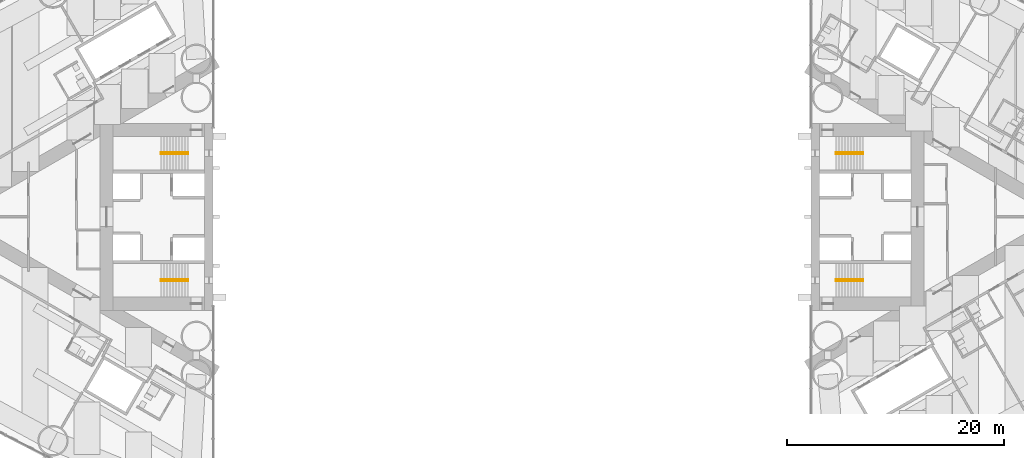
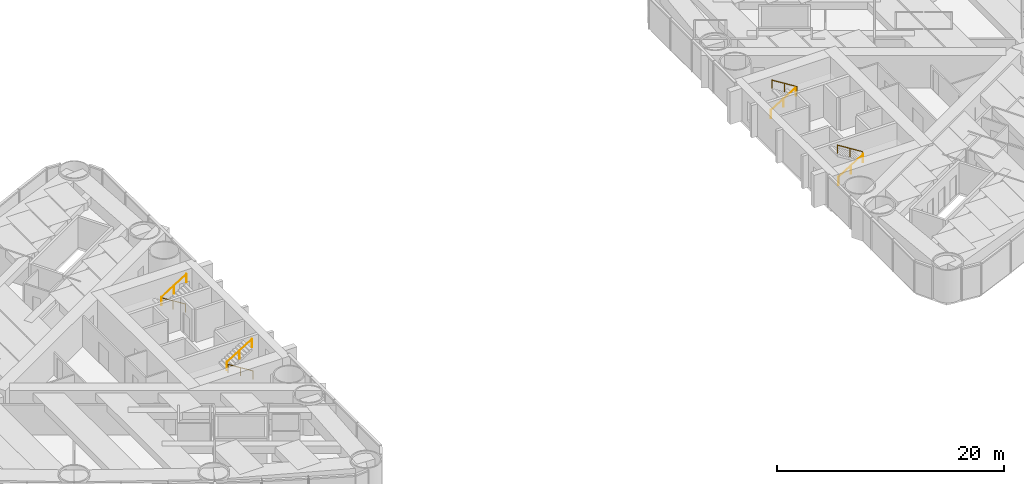
# One storey, part 18 of 19: 8 railings.
"""IFC4 building model written with IfcOpenShell, lengths in metres."""

import ifcopenshell
import ifcopenshell.guid

model = None  # the IFC model being written
_history = None  # IfcOwnerHistory: only IFC2X3 demands one
_inside = {}  # id of a spatial element -> (the spatial element, [elements in it])
_under = {}  # id of a project, library or spatial element -> (it, [spatial elements below it])
_declared = {}  # id of a project -> (the project, [libraries it declares])
_typed = {}  # id of a type object -> (the type object, [elements of that type])
_made_of = {}  # id of a material, layer set ... -> (it, [elements and type objects made of it])


def new_model(schema):
    """Start an empty IFC model of exactly this schema.

    Asked for "IFC4X3", IfcOpenShell would pick the latest addendum, in which some entities
    have other attributes; the version numbers below select the first issue.
    IFC2X3 requires an IfcOwnerHistory on every rooted entity: one is made here for all.
    """
    global model, _history
    if schema == "IFC4X3":
        model = ifcopenshell.file(schema_version=(4, 3, 0, 0))
    else:
        model = ifcopenshell.file(schema=schema)
    _inside.clear()
    _under.clear()
    _declared.clear()
    _typed.clear()
    _made_of.clear()
    _history = None
    if model.schema == "IFC2X3":
        org = make("IfcOrganization", Name="unknown")
        user = make(
            "IfcPersonAndOrganization",
            ThePerson=make("IfcPerson", FamilyName="unknown"),
            TheOrganization=org,
        )
        app = make(
            "IfcApplication",
            ApplicationDeveloper=org,
            Version="unknown",
            ApplicationFullName="unknown",
            ApplicationIdentifier="unknown",
        )
        _history = make(
            "IfcOwnerHistory",
            OwningUser=user,
            OwningApplication=app,
            ChangeAction="ADDED",
            CreationDate=0,
        )
    return model


def make(cls, **values):
    """One entity of the class cls with the attributes given. An attribute that is None is left unset."""
    return model.create_entity(
        cls, **{name: value for name, value in values.items() if value is not None}
    )


def rooted(cls, **values):
    """An entity with a GlobalId (a new one), such as an element, a storey or a relation."""
    return make(cls, GlobalId=ifcopenshell.guid.new(), OwnerHistory=_history, **values)


def si_unit(unit_type, name, prefix=None):
    """IfcSIUnit, for example si_unit("LENGTHUNIT", "METRE", prefix="MILLI")."""
    return make("IfcSIUnit", UnitType=unit_type, Prefix=prefix, Name=name)


def assignment(units):
    """IfcUnitAssignment: the units of a project."""
    return None if units is None else make("IfcUnitAssignment", Units=units)


def point(xyz):
    """IfcCartesianPoint."""
    return None if xyz is None else make("IfcCartesianPoint", Coordinates=xyz)


def direction(xyz):
    """IfcDirection."""
    return None if xyz is None else make("IfcDirection", DirectionRatios=xyz)


def frame(location, z_axis=None, x_axis=None):
    """IfcAxis2Placement3D, a coordinate frame: its origin and axes. An axis left out is left unset."""
    return make(
        "IfcAxis2Placement3D",
        Location=point(location),
        Axis=direction(z_axis),
        RefDirection=direction(x_axis),
    )


def frame_2d(location, x_axis=None):
    """IfcAxis2Placement2D, a coordinate frame in the plane: its origin and x axis."""
    return make(
        "IfcAxis2Placement2D", Location=point(location), RefDirection=direction(x_axis)
    )


def origin():
    """The frame at (0, 0, 0) with its axes left unset."""
    return frame((0.0, 0.0, 0.0))


def origin_2d():
    """The frame at (0, 0) in the plane with its x axis left unset."""
    return frame_2d((0.0, 0.0))


def place(relative_to, where):
    """IfcLocalPlacement: puts the frame where relative to a parent placement (None: the world)."""
    return make(
        "IfcLocalPlacement", PlacementRelTo=relative_to, RelativePlacement=where
    )


def context(
    kind, dimensions, precision=None, world=None, true_north=None, identifier=None
):
    """IfcGeometricRepresentationContext, for example the 3D "Model" context."""
    return make(
        "IfcGeometricRepresentationContext",
        ContextIdentifier=identifier,
        ContextType=kind,
        CoordinateSpaceDimension=dimensions,
        Precision=precision,
        WorldCoordinateSystem=world,
        TrueNorth=true_north,
    )


def subcontext(parent, identifier, kind, view, scale=None):
    """IfcGeometricRepresentationSubContext, for example "Body" below "Model"."""
    return make(
        "IfcGeometricRepresentationSubContext",
        ContextIdentifier=identifier,
        ContextType=kind,
        ParentContext=parent,
        TargetScale=scale,
        TargetView=view,
    )


def project(units=None, contexts=None):
    """IfcProject with its units and contexts."""
    return rooted(
        "IfcProject",
        Name="project",
        RepresentationContexts=contexts,
        UnitsInContext=assignment(units),
    )


def spatial(cls, under=None, at=None, **own):
    """A site, building, storey or space (cls), placed at a placement, below another one or the project."""
    s = rooted(cls, ObjectPlacement=at, **own)
    if under is not None:
        _under.setdefault(under.id(), (under, []))[1].append(s)
    return s


def profile(cls, at=None, kind="AREA", **sizes):
    """A parametric profile (cls). Its sizes go by their IFC names, for example OverallWidth=200.0."""
    return make(cls, ProfileType=kind, Position=at, **sizes)


def circle(**sizes):
    """IfcCircleProfileDef."""
    return profile("IfcCircleProfileDef", **sizes)


def extrude(swept, where, along, depth):
    """IfcExtrudedAreaSolid: the profile swept, set in the frame where, extruded along a direction by depth."""
    return make(
        "IfcExtrudedAreaSolid",
        SweptArea=swept,
        Position=where,
        ExtrudedDirection=direction(along),
        Depth=depth,
    )


def shape(context_of_items, identifier, shape_type, items):
    """IfcShapeRepresentation: the items that make up one representation, for example the "Body"."""
    return make(
        "IfcShapeRepresentation",
        ContextOfItems=context_of_items,
        RepresentationIdentifier=identifier,
        RepresentationType=shape_type,
        Items=items,
    )


def material(Name=None, Category=None):
    """IfcMaterial."""
    return make("IfcMaterial", Name=Name, Category=Category)


def made_of(thing, what):
    """Note that an element or type object is made of a material, layer set ...; save() writes the relation."""
    if what is not None:
        _made_of.setdefault(what.id(), (what, []))[1].append(thing)
    return thing


def type_object(cls, material=None, **own):
    """A type object (cls), such as IfcWallType, which elements share."""
    return made_of(rooted(cls, **own), material)


def element(
    cls,
    number,
    at=None,
    inside=None,
    cuts=None,
    type_object=None,
    material=None,
    context=None,
    identifier="Body",
    shape_type=None,
    held_by="IfcProductDefinitionShape",
    body=None,
    shapes=None,
    **own,
):
    """One element of the class cls, such as IfcWall. Its Tag is "e" and its number.

    at: its placement. inside: the storey or other place that contains it. cuts: it is an
    opening in that element (IfcRelVoidsElement). A single representation is given by context,
    identifier, shape_type and body (its items); several are given by shapes. held_by: the class
    of the entity that holds the representations. save() writes the other relations.
    """
    e = rooted(cls, Tag="e%d" % number, ObjectPlacement=at, **own)
    if body is not None:
        shapes = [shape(context, identifier, shape_type, body)]
    if shapes is not None:
        e.Representation = make(held_by, Representations=shapes)
    if inside is not None:
        _inside.setdefault(inside.id(), (inside, []))[1].append(e)
    if cuts is not None:
        rooted(
            "IfcRelVoidsElement", RelatingBuildingElement=cuts, RelatedOpeningElement=e
        )
    if type_object is not None:
        _typed.setdefault(type_object.id(), (type_object, []))[1].append(e)
    return made_of(e, material)


def aggregate(whole, parts):
    """IfcRelAggregates: a whole, such as a stair, and the parts it consists of."""
    return rooted("IfcRelAggregates", RelatingObject=whole, RelatedObjects=parts)


def save(model, path):
    """Write the relations noted so far, then the file.

    IfcRelAggregates (storeys below a building ...), IfcRelContainedInSpatialStructure (elements
    in a storey), IfcRelDefinesByType, IfcRelAssociatesMaterial and IfcRelDeclares: one each for
    every whole, place, type object, material and project.
    """
    for whole, parts in _under.values():
        aggregate(whole, parts)
    for where, things in _inside.values():
        rooted(
            "IfcRelContainedInSpatialStructure",
            RelatedElements=things,
            RelatingStructure=where,
        )
    for kind, things in _typed.values():
        rooted("IfcRelDefinesByType", RelatedObjects=things, RelatingType=kind)
    for what, things in _made_of.values():
        rooted("IfcRelAssociatesMaterial", RelatedObjects=things, RelatingMaterial=what)
    for by, libraries in _declared.values():
        rooted("IfcRelDeclares", RelatingContext=by, RelatedDefinitions=libraries)
    model.write(path)


model = new_model("IFC4")

# Units and contexts
model_context = context("Model", 3, precision=1e-05, world=origin(), true_north=direction((0.0, 1.0)))
body_context = subcontext(model_context, "Body", "Model", "MODEL_VIEW")
ifc_project = project(units=[si_unit("LENGTHUNIT", "METRE"), si_unit("AREAUNIT", "SQUARE_METRE"), si_unit("VOLUMEUNIT", "CUBIC_METRE"), si_unit("PLANEANGLEUNIT", "RADIAN"), si_unit("MASSUNIT", "GRAM", prefix="KILO")], contexts=[model_context])

# Site, building, storey
site_placement = place(None, origin())
site = spatial("IfcSite", under=ifc_project, at=site_placement, CompositionType="ELEMENT")
building_placement = place(site_placement, origin())
building = spatial("IfcBuilding", under=site, at=building_placement, Name="Lancet Gate Hotel", CompositionType="ELEMENT")
storey_placement = place(building_placement, frame((0.0, 0.0, 67.0)))
storey = spatial("IfcBuildingStorey", under=building, at=storey_placement, Name="L17", CompositionType="ELEMENT", Elevation=67.0)

# Railings
ifc_material = material(Name="Stainless steel handrail", Category="steel")
railing_type = type_object("IfcRailingType", Name="Stair handrail 900", PredefinedType="HANDRAIL", material=ifc_material)
railing_1_placement = place(storey_placement, frame((-29.800048828125, 5.929931640625, 0.175048828125)))
element("IfcRailing", 1, at=railing_1_placement, inside=storey, type_object=railing_type, Name="ST1 handrail flight 1 L17", PredefinedType="HANDRAIL", context=body_context, shape_type="SweptSolid", body=[
    extrude(circle(Radius=0.02392578125, at=origin_2d()), frame((0.0, 0.0, 0.8759765625), z_axis=(-0.848007534815, 0.0, 0.529984170421), x_axis=(0.0, -1.0, 0.0)), (0.0, 0.0, 1.0), 2.9716796875),
    extrude(circle(Radius=0.02099609375, at=origin_2d()), origin(), (0.0, 0.0, 1.0), 0.851806640625),
    extrude(circle(Radius=0.02099609375, at=origin_2d()), frame((-1.260009765625, 0.0, 0.78759765625)), (0.0, 0.0, 1.0), 0.851806640625),
    extrude(circle(Radius=0.02099609375, at=origin_2d()), frame((-2.52001953125, 0.0, 1.574951171875)), (0.0, 0.0, 1.0), 0.851806640625),
])
railing_2_placement = place(storey_placement, frame((-32.320068359375, 5.77001953125, 1.925048828125)))
element("IfcRailing", 2, at=railing_2_placement, inside=storey, type_object=railing_type, Name="ST1 handrail flight 2 L17", PredefinedType="HANDRAIL", context=body_context, shape_type="SweptSolid", body=[
    extrude(circle(Radius=0.02392578125, at=origin_2d()), frame((0.0, 0.0, 0.8759765625), z_axis=(0.848007534815, 0.0, 0.529984170421), x_axis=(0.0, 1.0, 0.0)), (0.0, 0.0, 1.0), 2.9716796875),
    extrude(circle(Radius=0.02099609375, at=origin_2d()), origin(), (0.0, 0.0, 1.0), 0.851806640625),
    extrude(circle(Radius=0.02099609375, at=origin_2d()), frame((1.260009765625, 0.0, 0.78759765625)), (0.0, 0.0, 1.0), 0.851806640625),
    extrude(circle(Radius=0.02099609375, at=origin_2d()), frame((2.52001953125, 0.0, 1.574951171875)), (0.0, 0.0, 1.0), 0.851806640625),
])
railing_3_placement = place(storey_placement, frame((-29.800048828125, -5.929931640625, 0.175048828125)))
element("IfcRailing", 3, at=railing_3_placement, inside=storey, type_object=railing_type, Name="ST2 handrail flight 1 L17", PredefinedType="HANDRAIL", context=body_context, shape_type="SweptSolid", body=[
    extrude(circle(Radius=0.02392578125, at=origin_2d()), frame((0.0, 0.0, 0.8759765625), z_axis=(-0.848007534815, 0.0, 0.529984170421), x_axis=(0.0, -1.0, 0.0)), (0.0, 0.0, 1.0), 2.9716796875),
    extrude(circle(Radius=0.02099609375, at=origin_2d()), origin(), (0.0, 0.0, 1.0), 0.851806640625),
    extrude(circle(Radius=0.02099609375, at=origin_2d()), frame((-1.260009765625, 0.0, 0.78759765625)), (0.0, 0.0, 1.0), 0.851806640625),
    extrude(circle(Radius=0.02099609375, at=origin_2d()), frame((-2.52001953125, 0.0, 1.574951171875)), (0.0, 0.0, 1.0), 0.851806640625),
])
for number, where, name in (
    (4, (-32.320068359375, -5.77001953125, 1.925048828125), "ST2 handrail flight 2 L17"),
    (5, (29.800048828125, -5.929931640625, 0.175048828125), "ST3 handrail flight 1 L17"),
):
    element("IfcRailing", number, at=place(storey_placement, frame(where)), inside=storey, type_object=railing_type, Name=name, PredefinedType="HANDRAIL", context=body_context, shape_type="SweptSolid", body=[
        extrude(circle(Radius=0.02392578125, at=origin_2d()), frame((0.0, 0.0, 0.8759765625), z_axis=(0.848007534815, 0.0, 0.529984170421), x_axis=(0.0, 1.0, 0.0)), (0.0, 0.0, 1.0), 2.9716796875),
        extrude(circle(Radius=0.02099609375, at=origin_2d()), origin(), (0.0, 0.0, 1.0), 0.851806640625),
        extrude(circle(Radius=0.02099609375, at=origin_2d()), frame((1.260009765625, 0.0, 0.78759765625)), (0.0, 0.0, 1.0), 0.851806640625),
        extrude(circle(Radius=0.02099609375, at=origin_2d()), frame((2.52001953125, 0.0, 1.574951171875)), (0.0, 0.0, 1.0), 0.851806640625),
    ])
railing_4_placement = place(storey_placement, frame((32.320068359375, -5.77001953125, 1.925048828125)))
element("IfcRailing", 6, at=railing_4_placement, inside=storey, type_object=railing_type, Name="ST3 handrail flight 2 L17", PredefinedType="HANDRAIL", context=body_context, shape_type="SweptSolid", body=[
    extrude(circle(Radius=0.02392578125, at=origin_2d()), frame((0.0, 0.0, 0.8759765625), z_axis=(-0.848007534815, 0.0, 0.529984170421), x_axis=(0.0, -1.0, 0.0)), (0.0, 0.0, 1.0), 2.9716796875),
    extrude(circle(Radius=0.02099609375, at=origin_2d()), origin(), (0.0, 0.0, 1.0), 0.851806640625),
    extrude(circle(Radius=0.02099609375, at=origin_2d()), frame((-1.260009765625, 0.0, 0.78759765625)), (0.0, 0.0, 1.0), 0.851806640625),
    extrude(circle(Radius=0.02099609375, at=origin_2d()), frame((-2.52001953125, 0.0, 1.574951171875)), (0.0, 0.0, 1.0), 0.851806640625),
])
railing_5_placement = place(storey_placement, frame((29.800048828125, 5.929931640625, 0.175048828125)))
element("IfcRailing", 7, at=railing_5_placement, inside=storey, type_object=railing_type, Name="ST4 handrail flight 1 L17", PredefinedType="HANDRAIL", context=body_context, shape_type="SweptSolid", body=[
    extrude(circle(Radius=0.02392578125, at=origin_2d()), frame((0.0, 0.0, 0.8759765625), z_axis=(0.848007534815, 0.0, 0.529984170421), x_axis=(0.0, 1.0, 0.0)), (0.0, 0.0, 1.0), 2.9716796875),
    extrude(circle(Radius=0.02099609375, at=origin_2d()), origin(), (0.0, 0.0, 1.0), 0.851806640625),
    extrude(circle(Radius=0.02099609375, at=origin_2d()), frame((1.260009765625, 0.0, 0.78759765625)), (0.0, 0.0, 1.0), 0.851806640625),
    extrude(circle(Radius=0.02099609375, at=origin_2d()), frame((2.52001953125, 0.0, 1.574951171875)), (0.0, 0.0, 1.0), 0.851806640625),
])
railing_6_placement = place(storey_placement, frame((32.320068359375, 5.77001953125, 1.925048828125)))
element("IfcRailing", 8, at=railing_6_placement, inside=storey, type_object=railing_type, Name="ST4 handrail flight 2 L17", PredefinedType="HANDRAIL", context=body_context, shape_type="SweptSolid", body=[
    extrude(circle(Radius=0.02392578125, at=origin_2d()), frame((0.0, 0.0, 0.8759765625), z_axis=(-0.848007534815, 0.0, 0.529984170421), x_axis=(0.0, -1.0, 0.0)), (0.0, 0.0, 1.0), 2.9716796875),
    extrude(circle(Radius=0.02099609375, at=origin_2d()), origin(), (0.0, 0.0, 1.0), 0.851806640625),
    extrude(circle(Radius=0.02099609375, at=origin_2d()), frame((-1.260009765625, 0.0, 0.78759765625)), (0.0, 0.0, 1.0), 0.851806640625),
    extrude(circle(Radius=0.02099609375, at=origin_2d()), frame((-2.52001953125, 0.0, 1.574951171875)), (0.0, 0.0, 1.0), 0.851806640625),
])

save(model, "model.ifc")
